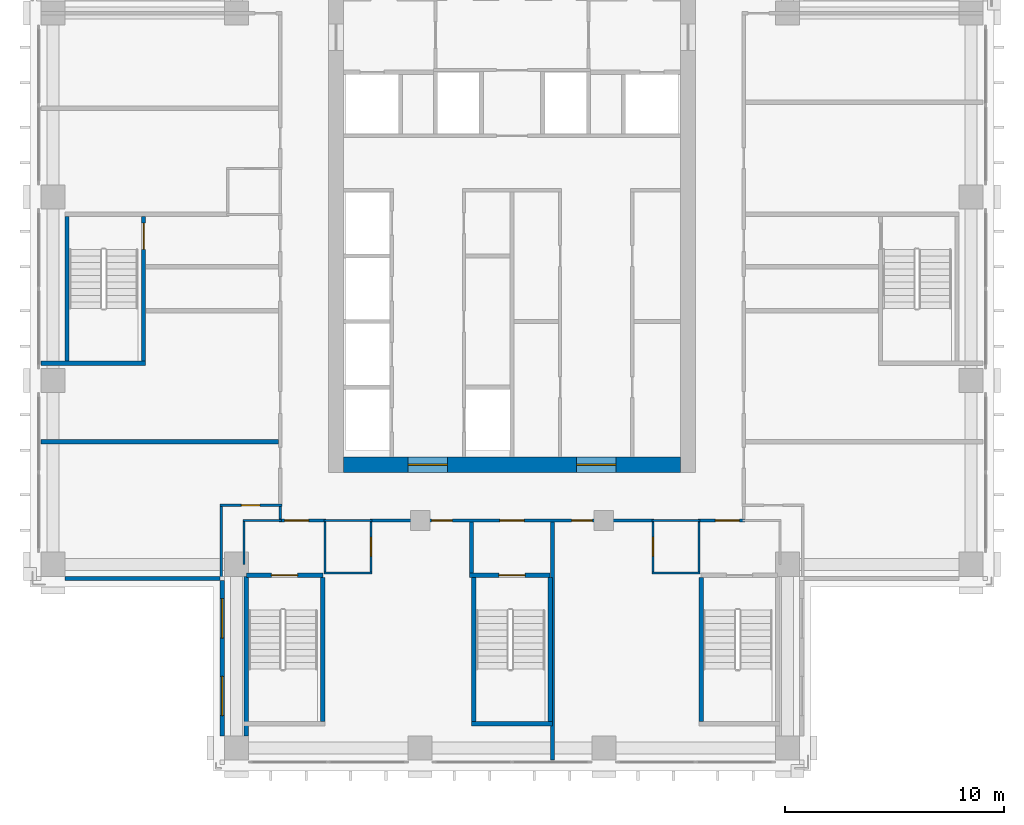
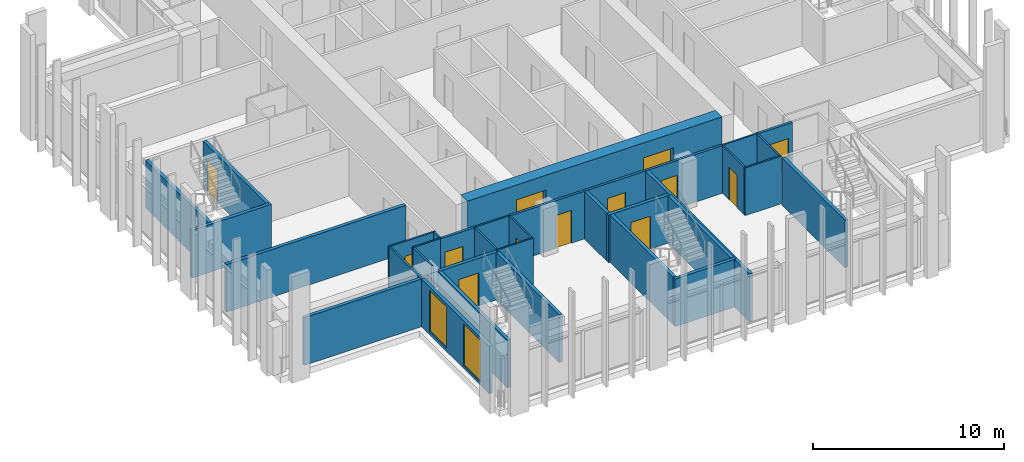
# One storey, part 9 of 16: 33 walls, 13 doors, 2 windows, 15 openings.
"""IFC4 building model written with IfcOpenShell, lengths in metres."""

from ifc_helpers import new_model, si_unit, direction, frame, frame_2d, origin, place, context, subcontext, project, spatial, rectangle, extrude, material, layer, layer_set, type_object, element, fill, save


model = new_model("IFC4")

# Units and contexts
model_context = context("Model", 3, precision=1e-05, world=origin(), true_north=direction((0.0, 1.0)))
body_context = subcontext(model_context, "Body", "Model", "MODEL_VIEW")
ifc_project = project(units=[si_unit("LENGTHUNIT", "METRE"), si_unit("AREAUNIT", "SQUARE_METRE"), si_unit("VOLUMEUNIT", "CUBIC_METRE"), si_unit("PLANEANGLEUNIT", "RADIAN"), si_unit("MASSUNIT", "GRAM", prefix="KILO")], contexts=[model_context])

# Site, building, storey
site_placement = place(None, origin())
site = spatial("IfcSite", under=ifc_project, at=site_placement, CompositionType="ELEMENT")
building_placement = place(site_placement, origin())
building = spatial("IfcBuilding", under=site, at=building_placement, Name="Vermilion Ogive Tower", CompositionType="ELEMENT")
storey_placement = place(building_placement, frame((0.0, 0.0, 164.14990234375)))
storey = spatial("IfcBuildingStorey", under=building, at=storey_placement, Name="L42", CompositionType="ELEMENT", Elevation=164.14990234375)

# Wall, openings, doors
ifc_material_1 = material(Name="Concrete B60", Category="concrete")
ifc_layer_1 = layer(ifc_material_1, 0.699951171875)
ifc_layer_set_1 = layer_set([ifc_layer_1], Name="Core wall 700 B60")
wall_type_1 = type_object("IfcWallType", Name="Core wall 700 B60", PredefinedType="SHEAR", material=ifc_layer_set_1)
wall_1_placement = place(storey_placement, frame((-7.699951171875, -8.050048828125, -0.39990234375), z_axis=(0.0, 0.0, 1.0), x_axis=(1.0, 0.0, 0.0)))
wall_1 = element("IfcWall", 1, at=wall_1_placement, inside=storey, type_object=wall_type_1, Name="L42-CORE-S", PredefinedType="SHEAR", context=body_context, shape_type="SweptSolid", body=[
    extrude(rectangle(XDim=15.39990234375, YDim=0.699951171875, at=frame_2d((7.699951171875, 0.0))), origin(), (0.0, 0.0, 1.0), 3.449951171875),
])
opening_1_placement = place(wall_1_placement, frame((2.949951171875, 0.0, 0.39990234375)))
opening_1 = element("IfcOpeningElement", 2, at=opening_1_placement, cuts=wall_1, Name="Opening DAH033", PredefinedType="OPENING", context=body_context, shape_type="SweptSolid", body=[
    extrude(rectangle(XDim=1.800048828125, YDim=2.10009765625, at=frame_2d((0.89990234375, 1.050048828125))), frame((0.0, 0.35986328125, 0.0), z_axis=(0.0, -1.0, 0.0), x_axis=(1.0, 0.0, 0.0)), (0.0, 0.0, 1.0), 0.719970703125),
])
opening_2_placement = place(wall_1_placement, frame((10.64990234375, 0.0, 0.39990234375)))
opening_2 = element("IfcOpeningElement", 3, at=opening_2_placement, cuts=wall_1, Name="Opening DAH034", PredefinedType="OPENING", context=body_context, shape_type="SweptSolid", body=[
    extrude(rectangle(XDim=1.800048828125, YDim=2.10009765625, at=frame_2d((0.89990234375, 1.050048828125))), frame((0.0, 0.35986328125, 0.0), z_axis=(0.0, -1.0, 0.0), x_axis=(1.0, 0.0, 0.0)), (0.0, 0.0, 1.0), 0.719970703125),
])
ifc_material_2 = material(Name="Timber door leaf", Category="wood")
door_type_1 = type_object("IfcDoorType", Name="Core entry door 1800 x 2100 FD60S", OperationType="DOUBLE_DOOR_SINGLE_SWING", PredefinedType="DOOR", material=ifc_material_2)
door_1_placement = place(opening_1_placement, origin())
door_1 = element("IfcDoor", 4, at=door_1_placement, inside=storey, type_object=door_type_1, Name="L42-CK-XD1", OperationType="SINGLE_SWING_LEFT", OverallHeight=2.10009765625, OverallWidth=1.800048828125, PredefinedType="DOOR", context=body_context, shape_type="SweptSolid", body=[
    extrude(rectangle(XDim=1.800048828125, YDim=2.10009765625, at=frame_2d((0.89990234375, 1.050048828125))), frame((0.0, 0.02490234375, 0.0), z_axis=(0.0, -1.0, 0.0), x_axis=(1.0, 0.0, 0.0)), (0.0, 0.0, 1.0), 0.050048828125),
])
fill(opening_1, door_1)
door_2_placement = place(opening_2_placement, origin())
door_2 = element("IfcDoor", 5, at=door_2_placement, inside=storey, type_object=door_type_1, Name="L42-CK-XD2", OperationType="SINGLE_SWING_LEFT", OverallHeight=2.10009765625, OverallWidth=1.800048828125, PredefinedType="DOOR", context=body_context, shape_type="SweptSolid", body=[
    extrude(rectangle(XDim=1.800048828125, YDim=2.10009765625, at=frame_2d((0.89990234375, 1.050048828125))), frame((0.0, 0.02490234375, 0.0), z_axis=(0.0, -1.0, 0.0), x_axis=(1.0, 0.0, 0.0)), (0.0, 0.0, 1.0), 0.050048828125),
])
fill(opening_2, door_2)

# Walls
ifc_material_3 = material(Name="Gypsum board partition on steel studs", Category="steel")
ifc_layer_2 = layer(ifc_material_3, 0.10009765625)
ifc_layer_set_2 = layer_set([ifc_layer_2], Name="Partition 100 bath")
wall_type_2 = type_object("IfcWallType", Name="Partition 100 bath", PredefinedType="PARTITIONING", material=ifc_layer_set_2)
for number, where, z_axis, x_axis, name in (
    (6, (-8.60009765625, -13.0, 0.0), (0.0, 0.0, 1.0), (1.0, 0.0, 0.0), "L42-W-W005"),
    (7, (6.39990234375, -13.0, 0.0), (0.0, 0.0, 1.0), (1.0, 0.0, 0.0), "L42-W-W006"),
):
    element("IfcWall", number, at=place(storey_placement, frame(where, z_axis=z_axis, x_axis=x_axis)), inside=storey, type_object=wall_type_2, Name=name, PredefinedType="PARTITIONING", context=body_context, shape_type="SweptSolid", body=[
        extrude(rectangle(XDim=2.2001953125, YDim=0.10009765625, at=frame_2d((1.10009765625, 0.0))), origin(), (0.0, 0.0, 1.0), 3.050048828125),
    ])
wall_2_placement = place(storey_placement, frame((-12.300048828125, -10.60009765625, 0.0), z_axis=(0.0, 0.0, 1.0), x_axis=(1.0, 0.0, 0.0)))
element("IfcWall", 8, at=wall_2_placement, inside=storey, type_object=wall_type_2, Name="L42-W-W007", PredefinedType="PARTITIONING", context=body_context, shape_type="SweptSolid", body=[
    extrude(rectangle(XDim=1.75, YDim=0.10009765625, at=frame_2d((0.875, 0.0))), origin(), (0.0, 0.0, 1.0), 3.050048828125),
])
for number, where, z_axis, x_axis, name in (
    (9, (-8.60009765625, -10.60009765625, 0.0), (0.0, 0.0, 1.0), (1.0, 0.0, 0.0), "L42-W-W009"),
    (10, (6.39990234375, -10.60009765625, 0.0), (0.0, 0.0, 1.0), (1.0, 0.0, 0.0), "L42-W-W011"),
):
    element("IfcWall", number, at=place(storey_placement, frame(where, z_axis=z_axis, x_axis=x_axis)), inside=storey, type_object=wall_type_2, Name=name, PredefinedType="PARTITIONING", context=body_context, shape_type="SweptSolid", body=[
        extrude(rectangle(XDim=2.2001953125, YDim=0.10009765625, at=frame_2d((1.10009765625, 0.0))), origin(), (0.0, 0.0, 1.0), 3.050048828125),
    ])

# Wall, opening, door
wall_3_placement = place(storey_placement, frame((-13.35009765625, -9.89990234375, 0.0), z_axis=(0.0, 0.0, 1.0), x_axis=(1.0, 0.0, 0.0)))
wall_3 = element("IfcWall", 11, at=wall_3_placement, inside=storey, type_object=wall_type_2, Name="L42-W-W014", PredefinedType="PARTITIONING", context=body_context, shape_type="SweptSolid", body=[
    extrude(rectangle(XDim=2.8251953125, YDim=0.10009765625, at=frame_2d((1.41259765625, 0.0))), origin(), (0.0, 0.0, 1.0), 3.050048828125),
])
opening_3_placement = place(wall_3_placement, frame((0.97509765625, 0.0, 0.0)))
opening_3 = element("IfcOpeningElement", 12, at=opening_3_placement, cuts=wall_3, Name="Opening D3G5002", PredefinedType="OPENING", context=body_context, shape_type="SweptSolid", body=[
    extrude(rectangle(XDim=0.85009765625, YDim=2.10009765625, at=frame_2d((0.425048828125, 1.050048828125))), frame((0.0, 0.06005859375, 0.0), z_axis=(0.0, -1.0, 0.0), x_axis=(1.0, 0.0, 0.0)), (0.0, 0.0, 1.0), 0.1201171875),
])
ifc_material_4 = material(Name="Timber door leaf", Category="wood")
door_type_2 = type_object("IfcDoorType", Name="Bath door 850 x 2100 FD30", OperationType="SINGLE_SWING_LEFT", PredefinedType="DOOR", material=ifc_material_4)
door_3_placement = place(opening_3_placement, origin())
door_3 = element("IfcDoor", 13, at=door_3_placement, inside=storey, type_object=door_type_2, Name="L42-D-D002", OperationType="SINGLE_SWING_RIGHT", OverallHeight=2.10009765625, OverallWidth=0.85009765625, PredefinedType="DOOR", context=body_context, shape_type="SweptSolid", body=[
    extrude(rectangle(XDim=0.85009765625, YDim=2.10009765625, at=frame_2d((0.425048828125, 1.050048828125))), frame((0.0, 0.02490234375, 0.0), z_axis=(0.0, -1.0, 0.0), x_axis=(1.0, 0.0, 0.0)), (0.0, 0.0, 1.0), 0.050048828125),
])
fill(opening_3, door_3)

# Walls
wall_4_placement = place(storey_placement, frame((-13.300048828125, -13.35009765625, 0.0), z_axis=(0.0, 0.0, 1.0), x_axis=(0.0, 1.0, 0.0)))
element("IfcWall", 14, at=wall_4_placement, inside=storey, type_object=wall_type_2, Name="L42-W-W040", PredefinedType="PARTITIONING", context=body_context, shape_type="SweptSolid", body=[
    extrude(rectangle(XDim=3.400146484375, YDim=0.10009765625, at=frame_2d((1.7001953125, 0.0))), origin(), (0.0, 0.0, 1.0), 3.050048828125),
])
wall_5_placement = place(storey_placement, frame((-12.25, -12.60009765625, 0.0), z_axis=(0.0, 0.0, 1.0), x_axis=(0.0, 1.0, 0.0)))
element("IfcWall", 15, at=wall_5_placement, inside=storey, type_object=wall_type_2, Name="L42-W-W043", PredefinedType="PARTITIONING", context=body_context, shape_type="SweptSolid", body=[
    extrude(rectangle(XDim=1.9501953125, YDim=0.10009765625, at=frame_2d((0.97509765625, 0.0))), origin(), (0.0, 0.0, 1.0), 3.050048828125),
])
wall_6_placement = place(storey_placement, frame((-10.60009765625, -10.52490234375, 0.0), z_axis=(0.0, 0.0, 1.0), x_axis=(0.0, 1.0, 0.0)))
element("IfcWall", 16, at=wall_6_placement, inside=storey, type_object=wall_type_2, Name="L42-W-W044", PredefinedType="PARTITIONING", context=body_context, shape_type="SweptSolid", body=[
    extrude(rectangle(XDim=0.574951171875, YDim=0.10009765625, at=frame_2d((0.28759765625, 0.0))), origin(), (0.0, 0.0, 1.0), 3.050048828125),
])
wall_7_placement = place(storey_placement, frame((-8.550048828125, -12.949951171875, 0.0), z_axis=(0.0, 0.0, 1.0), x_axis=(0.0, 1.0, 0.0)))
element("IfcWall", 17, at=wall_7_placement, inside=storey, type_object=wall_type_2, Name="L42-W-W050", PredefinedType="PARTITIONING", context=body_context, shape_type="SweptSolid", body=[
    extrude(rectangle(XDim=2.27490234375, YDim=0.10009765625, at=frame_2d((1.137451171875, 0.0))), origin(), (0.0, 0.0, 1.0), 3.050048828125),
])

# Wall, opening, door
wall_8_placement = place(storey_placement, frame((-6.449951171875, -12.949951171875, 0.0), z_axis=(0.0, 0.0, 1.0), x_axis=(0.0, 1.0, 0.0)))
wall_8 = element("IfcWall", 18, at=wall_8_placement, inside=storey, type_object=wall_type_2, Name="L42-W-W051", PredefinedType="PARTITIONING", context=body_context, shape_type="SweptSolid", body=[
    extrude(rectangle(XDim=2.27490234375, YDim=0.10009765625, at=frame_2d((1.137451171875, 0.0))), origin(), (0.0, 0.0, 1.0), 3.050048828125),
])
opening_4_placement = place(wall_8_placement, frame((0.724853515625, 0.0, 0.0)))
opening_4 = element("IfcOpeningElement", 19, at=opening_4_placement, cuts=wall_8, Name="Opening D3G5009", PredefinedType="OPENING", context=body_context, shape_type="SweptSolid", body=[
    extrude(rectangle(XDim=0.85009765625, YDim=2.10009765625, at=frame_2d((0.425048828125, 1.050048828125))), frame((0.0, 0.06005859375, 0.0), z_axis=(0.0, -1.0, 0.0), x_axis=(1.0, 0.0, 0.0)), (0.0, 0.0, 1.0), 0.1201171875),
])
door_4_placement = place(opening_4_placement, origin())
door_4 = element("IfcDoor", 20, at=door_4_placement, inside=storey, type_object=door_type_2, Name="L42-D-D009", OperationType="SINGLE_SWING_LEFT", OverallHeight=2.10009765625, OverallWidth=0.85009765625, PredefinedType="DOOR", context=body_context, shape_type="SweptSolid", body=[
    extrude(rectangle(XDim=0.85009765625, YDim=2.10009765625, at=frame_2d((0.425048828125, 1.050048828125))), frame((0.0, 0.02490234375, 0.0), z_axis=(0.0, -1.0, 0.0), x_axis=(1.0, 0.0, 0.0)), (0.0, 0.0, 1.0), 0.050048828125),
])
fill(opening_4, door_4)

wall_9_placement = place(storey_placement, frame((6.449951171875, -12.949951171875, 0.0), z_axis=(0.0, 0.0, 1.0), x_axis=(0.0, 1.0, 0.0)))
wall_9 = element("IfcWall", 21, at=wall_9_placement, inside=storey, type_object=wall_type_2, Name="L42-W-W056", PredefinedType="PARTITIONING", context=body_context, shape_type="SweptSolid", body=[
    extrude(rectangle(XDim=2.27490234375, YDim=0.10009765625, at=frame_2d((1.137451171875, 0.0))), origin(), (0.0, 0.0, 1.0), 3.050048828125),
])
opening_5_placement = place(wall_9_placement, frame((0.724853515625, 0.0, 0.0)))
opening_5 = element("IfcOpeningElement", 22, at=opening_5_placement, cuts=wall_9, Name="Opening D3G5011", PredefinedType="OPENING", context=body_context, shape_type="SweptSolid", body=[
    extrude(rectangle(XDim=0.85009765625, YDim=2.10009765625, at=frame_2d((0.425048828125, 1.050048828125))), frame((0.0, 0.06005859375, 0.0), z_axis=(0.0, -1.0, 0.0), x_axis=(1.0, 0.0, 0.0)), (0.0, 0.0, 1.0), 0.1201171875),
])
door_5_placement = place(opening_5_placement, origin())
door_5 = element("IfcDoor", 23, at=door_5_placement, inside=storey, type_object=door_type_2, Name="L42-D-D011", OperationType="SINGLE_SWING_RIGHT", OverallHeight=2.10009765625, OverallWidth=0.85009765625, PredefinedType="DOOR", context=body_context, shape_type="SweptSolid", body=[
    extrude(rectangle(XDim=0.85009765625, YDim=2.10009765625, at=frame_2d((0.425048828125, 1.050048828125))), frame((0.0, 0.02490234375, 0.0), z_axis=(0.0, -1.0, 0.0), x_axis=(1.0, 0.0, 0.0)), (0.0, 0.0, 1.0), 0.050048828125),
])
fill(opening_5, door_5)

# Wall
wall_10_placement = place(storey_placement, frame((8.550048828125, -12.949951171875, 0.0), z_axis=(0.0, 0.0, 1.0), x_axis=(0.0, 1.0, 0.0)))
element("IfcWall", 24, at=wall_10_placement, inside=storey, type_object=wall_type_2, Name="L42-W-W057", PredefinedType="PARTITIONING", context=body_context, shape_type="SweptSolid", body=[
    extrude(rectangle(XDim=2.27490234375, YDim=0.10009765625, at=frame_2d((1.137451171875, 0.0))), origin(), (0.0, 0.0, 1.0), 3.050048828125),
])

# Wall, opening, door
ifc_material_5 = material(Name="Gypsum board partition on steel studs", Category="steel")
ifc_layer_3 = layer(ifc_material_5, 0.14990234375)
ifc_layer_set_3 = layer_set([ifc_layer_3], Name="Partition 150 corridor")
wall_type_3 = type_object("IfcWallType", Name="Partition 150 corridor", PredefinedType="PARTITIONING", material=ifc_layer_set_3)
wall_11_placement = place(storey_placement, frame((-10.64990234375, -10.60009765625, 0.0), z_axis=(0.0, 0.0, 1.0), x_axis=(1.0, 0.0, 0.0)))
wall_11 = element("IfcWall", 25, at=wall_11_placement, inside=storey, type_object=wall_type_3, Name="L42-W-W008", PredefinedType="PARTITIONING", context=body_context, shape_type="SweptSolid", body=[
    extrude(rectangle(XDim=2.14990234375, YDim=0.14990234375, at=frame_2d((1.074951171875, 0.0))), origin(), (0.0, 0.0, 1.0), 3.050048828125),
])
opening_6_placement = place(wall_11_placement, frame((0.25, 0.0, 0.0)))
opening_6 = element("IfcOpeningElement", 26, at=opening_6_placement, cuts=wall_11, Name="Opening D3G5018", PredefinedType="OPENING", context=body_context, shape_type="SweptSolid", body=[
    extrude(rectangle(XDim=1.10009765625, YDim=2.10009765625, at=frame_2d((0.550048828125, 1.050048828125))), frame((0.0, 0.0849609375, 0.0), z_axis=(0.0, -1.0, 0.0), x_axis=(1.0, 0.0, 0.0)), (0.0, 0.0, 1.0), 0.169921875),
])
ifc_material_6 = material(Name="Timber door leaf", Category="wood")
door_type_3 = type_object("IfcDoorType", Name="Stair door 1100 x 2100 FD60S", OperationType="SINGLE_SWING_LEFT", PredefinedType="DOOR", material=ifc_material_6)
door_6_placement = place(opening_6_placement, origin())
door_6 = element("IfcDoor", 27, at=door_6_placement, inside=storey, type_object=door_type_3, Name="L42-D-D018", OperationType="SINGLE_SWING_RIGHT", OverallHeight=2.10009765625, OverallWidth=1.10009765625, PredefinedType="DOOR", context=body_context, shape_type="SweptSolid", body=[
    extrude(rectangle(XDim=1.10009765625, YDim=2.10009765625, at=frame_2d((0.550048828125, 1.050048828125))), frame((0.0, 0.02490234375, 0.0), z_axis=(0.0, -1.0, 0.0), x_axis=(1.0, 0.0, 0.0)), (0.0, 0.0, 1.0), 0.050048828125),
])
fill(opening_6, door_6)

# Wall, openings, doors
wall_12_placement = place(storey_placement, frame((-6.5, -10.60009765625, 0.0), z_axis=(0.0, 0.0, 1.0), x_axis=(1.0, 0.0, 0.0)))
wall_12 = element("IfcWall", 28, at=wall_12_placement, inside=storey, type_object=wall_type_3, Name="L42-W-W010", PredefinedType="PARTITIONING", context=body_context, shape_type="SweptSolid", body=[
    extrude(rectangle(XDim=13.0, YDim=0.14990234375, at=frame_2d((6.5, 0.0))), origin(), (0.0, 0.0, 1.0), 3.050048828125),
])
opening_7_placement = place(wall_12_placement, frame((2.824951171875, 0.0, 0.0)))
opening_7 = element("IfcOpeningElement", 29, at=opening_7_placement, cuts=wall_12, Name="Opening D3G5008", PredefinedType="OPENING", context=body_context, shape_type="SweptSolid", body=[
    extrude(rectangle(XDim=0.949951171875, YDim=2.10009765625, at=frame_2d((0.47509765625, 1.050048828125))), frame((0.0, 0.0849609375, 0.0), z_axis=(0.0, -1.0, 0.0), x_axis=(1.0, 0.0, 0.0)), (0.0, 0.0, 1.0), 0.169921875),
])
opening_8_placement = place(wall_12_placement, frame((9.22509765625, 0.0, 0.0)))
opening_8 = element("IfcOpeningElement", 30, at=opening_8_placement, cuts=wall_12, Name="Opening D3G5010", PredefinedType="OPENING", context=body_context, shape_type="SweptSolid", body=[
    extrude(rectangle(XDim=0.949951171875, YDim=2.10009765625, at=frame_2d((0.47509765625, 1.050048828125))), frame((0.0, 0.0849609375, 0.0), z_axis=(0.0, -1.0, 0.0), x_axis=(1.0, 0.0, 0.0)), (0.0, 0.0, 1.0), 0.169921875),
])
opening_9_placement = place(wall_12_placement, frame((5.949951171875, 0.0, 0.0)))
opening_9 = element("IfcOpeningElement", 31, at=opening_9_placement, cuts=wall_12, Name="Opening D3G5020", PredefinedType="OPENING", context=body_context, shape_type="SweptSolid", body=[
    extrude(rectangle(XDim=1.10009765625, YDim=2.10009765625, at=frame_2d((0.550048828125, 1.050048828125))), frame((0.0, 0.0849609375, 0.0), z_axis=(0.0, -1.0, 0.0), x_axis=(1.0, 0.0, 0.0)), (0.0, 0.0, 1.0), 0.169921875),
])
door_7_placement = place(opening_9_placement, origin())
door_7 = element("IfcDoor", 32, at=door_7_placement, inside=storey, type_object=door_type_3, Name="L42-D-D020", OperationType="SINGLE_SWING_LEFT", OverallHeight=2.10009765625, OverallWidth=1.10009765625, PredefinedType="DOOR", context=body_context, shape_type="SweptSolid", body=[
    extrude(rectangle(XDim=1.10009765625, YDim=2.10009765625, at=frame_2d((0.550048828125, 1.050048828125))), frame((0.0, 0.02490234375, 0.0), z_axis=(0.0, -1.0, 0.0), x_axis=(1.0, 0.0, 0.0)), (0.0, 0.0, 1.0), 0.050048828125),
])
fill(opening_9, door_7)
ifc_material_7 = material(Name="Timber door leaf", Category="wood")
door_type_4 = type_object("IfcDoorType", Name="Unit door 950 x 2100 FD30S", OperationType="SINGLE_SWING_LEFT", PredefinedType="DOOR", material=ifc_material_7)
door_8_placement = place(opening_7_placement, origin())
door_8 = element("IfcDoor", 33, at=door_8_placement, inside=storey, type_object=door_type_4, Name="L42-D-D008", OperationType="SINGLE_SWING_LEFT", OverallHeight=2.10009765625, OverallWidth=0.949951171875, PredefinedType="DOOR", context=body_context, shape_type="SweptSolid", body=[
    extrude(rectangle(XDim=0.949951171875, YDim=2.10009765625, at=frame_2d((0.47509765625, 1.050048828125))), frame((0.0, 0.02490234375, 0.0), z_axis=(0.0, -1.0, 0.0), x_axis=(1.0, 0.0, 0.0)), (0.0, 0.0, 1.0), 0.050048828125),
])
fill(opening_7, door_8)
door_9_placement = place(opening_8_placement, origin())
door_9 = element("IfcDoor", 34, at=door_9_placement, inside=storey, type_object=door_type_4, Name="L42-D-D010", OperationType="SINGLE_SWING_LEFT", OverallHeight=2.10009765625, OverallWidth=0.949951171875, PredefinedType="DOOR", context=body_context, shape_type="SweptSolid", body=[
    extrude(rectangle(XDim=0.949951171875, YDim=2.10009765625, at=frame_2d((0.47509765625, 1.050048828125))), frame((0.0, 0.02490234375, 0.0), z_axis=(0.0, -1.0, 0.0), x_axis=(1.0, 0.0, 0.0)), (0.0, 0.0, 1.0), 0.050048828125),
])
fill(opening_8, door_9)

# Wall, opening, door
wall_13_placement = place(storey_placement, frame((8.5, -10.60009765625, 0.0), z_axis=(0.0, 0.0, 1.0), x_axis=(1.0, 0.0, 0.0)))
wall_13 = element("IfcWall", 35, at=wall_13_placement, inside=storey, type_object=wall_type_3, Name="L42-W-W012", PredefinedType="PARTITIONING", context=body_context, shape_type="SweptSolid", body=[
    extrude(rectangle(XDim=2.14990234375, YDim=0.14990234375, at=frame_2d((1.074951171875, 0.0))), origin(), (0.0, 0.0, 1.0), 3.050048828125),
])
opening_10_placement = place(wall_13_placement, frame((0.800048828125, 0.0, 0.0)))
opening_10 = element("IfcOpeningElement", 36, at=opening_10_placement, cuts=wall_13, Name="Opening D3G5022", PredefinedType="OPENING", context=body_context, shape_type="SweptSolid", body=[
    extrude(rectangle(XDim=1.10009765625, YDim=2.10009765625, at=frame_2d((0.550048828125, 1.050048828125))), frame((0.0, 0.0849609375, 0.0), z_axis=(0.0, -1.0, 0.0), x_axis=(1.0, 0.0, 0.0)), (0.0, 0.0, 1.0), 0.169921875),
])
door_10_placement = place(opening_10_placement, origin())
door_10 = element("IfcDoor", 37, at=door_10_placement, inside=storey, type_object=door_type_3, Name="L42-D-D022", OperationType="SINGLE_SWING_RIGHT", OverallHeight=2.10009765625, OverallWidth=1.10009765625, PredefinedType="DOOR", context=body_context, shape_type="SweptSolid", body=[
    extrude(rectangle(XDim=1.10009765625, YDim=2.10009765625, at=frame_2d((0.550048828125, 1.050048828125))), frame((0.0, 0.02490234375, 0.0), z_axis=(0.0, -1.0, 0.0), x_axis=(1.0, 0.0, 0.0)), (0.0, 0.0, 1.0), 0.050048828125),
])
fill(opening_10, door_10)

# Walls
ifc_material_8 = material(Name="Gypsum board partition on steel studs", Category="steel")
ifc_layer_4 = layer(ifc_material_8, 0.199951171875)
ifc_layer_set_4 = layer_set([ifc_layer_4], Name="Partition 200 party")
wall_type_4 = type_object("IfcWallType", Name="Partition 200 party", PredefinedType="PARTITIONING", material=ifc_layer_set_4)
wall_14_placement = place(storey_placement, frame((-21.550048828125, -7.0, 0.0), z_axis=(0.0, 0.0, 1.0), x_axis=(1.0, 0.0, 0.0)))
element("IfcWall", 38, at=wall_14_placement, inside=storey, type_object=wall_type_4, Name="L42-W-W016", PredefinedType="PARTITIONING", context=body_context, shape_type="SweptSolid", body=[
    extrude(rectangle(XDim=10.875, YDim=0.199951171875, at=frame_2d((5.4375, 0.0))), origin(), (0.0, 0.0, 1.0), 3.050048828125),
])
wall_15_placement = place(storey_placement, frame((-1.85009765625, -12.998046875, 0.0), z_axis=(0.0, 0.0, 1.0), x_axis=(0.0, 1.0, 0.0)))
element("IfcWall", 39, at=wall_15_placement, inside=storey, type_object=wall_type_4, Name="L42-W-W052", PredefinedType="PARTITIONING", context=body_context, shape_type="SweptSolid", body=[
    extrude(rectangle(XDim=2.322998046875, YDim=0.199951171875, at=frame_2d((1.16162109375, 0.0))), origin(), (0.0, 0.0, 1.0), 3.050048828125),
])
ifc_material_9 = material(Name="Concrete B60", Category="concrete")
ifc_layer_5 = layer(ifc_material_9, 0.199951171875)
ifc_layer_set_5 = layer_set([ifc_layer_5], Name="Stair shaft wall 200 Concrete B60")
wall_type_5 = type_object("IfcWallType", Name="Stair shaft wall 200 Concrete B60", PredefinedType="SOLIDWALL", material=ifc_layer_set_5)
wall_16_placement = place(storey_placement, frame((-1.847900390625, -19.89990234375, 0.0), z_axis=(0.0, 0.0, 1.0), x_axis=(1.0, 0.0, 0.0)))
element("IfcWall", 40, at=wall_16_placement, inside=storey, type_object=wall_type_5, Name="L42-W-W001", PredefinedType="SOLIDWALL", context=body_context, shape_type="SweptSolid", body=[
    extrude(rectangle(XDim=3.69580078125, YDim=0.199951171875, at=frame_2d((1.847900390625, 0.0))), origin(), (0.0, 0.0, 1.0), 3.050048828125),
])

# Wall, opening, door
wall_17_placement = place(storey_placement, frame((-12.14990234375, -13.10009765625, 0.0), z_axis=(0.0, 0.0, 1.0), x_axis=(1.0, 0.0, 0.0)))
wall_17 = element("IfcWall", 41, at=wall_17_placement, inside=storey, type_object=wall_type_5, Name="L42-W-W002", PredefinedType="SOLIDWALL", context=body_context, shape_type="SweptSolid", body=[
    extrude(rectangle(XDim=3.5, YDim=0.199951171875, at=frame_2d((1.75, 0.0))), origin(), (0.0, 0.0, 1.0), 3.050048828125),
])
opening_11_placement = place(wall_17_placement, frame((1.14990234375, 0.0, 0.0)))
opening_11 = element("IfcOpeningElement", 42, at=opening_11_placement, cuts=wall_17, Name="Opening D3G5019", PredefinedType="OPENING", context=body_context, shape_type="SweptSolid", body=[
    extrude(rectangle(XDim=1.199951171875, YDim=2.10009765625, at=frame_2d((0.60009765625, 1.050048828125))), frame((0.0, 0.10986328125, 0.0), z_axis=(0.0, -1.0, 0.0), x_axis=(1.0, 0.0, 0.0)), (0.0, 0.0, 1.0), 0.219970703125),
])
ifc_material_10 = material(Name="Timber door leaf", Category="wood")
door_type_5 = type_object("IfcDoorType", Name="Stair door 1200 x 2100 FD60S", OperationType="SINGLE_SWING_LEFT", PredefinedType="DOOR", material=ifc_material_10)
door_11_placement = place(opening_11_placement, origin())
door_11 = element("IfcDoor", 43, at=door_11_placement, inside=storey, type_object=door_type_5, Name="L42-D-D019", OperationType="SINGLE_SWING_RIGHT", OverallHeight=2.10009765625, OverallWidth=1.199951171875, PredefinedType="DOOR", context=body_context, shape_type="SweptSolid", body=[
    extrude(rectangle(XDim=1.199951171875, YDim=2.10009765625, at=frame_2d((0.60009765625, 1.050048828125))), frame((0.0, 0.02490234375, 0.0), z_axis=(0.0, -1.0, 0.0), x_axis=(1.0, 0.0, 0.0)), (0.0, 0.0, 1.0), 0.050048828125),
])
fill(opening_11, door_11)

wall_18_placement = place(storey_placement, frame((-1.947998046875, -13.10009765625, 0.0), z_axis=(0.0, 0.0, 1.0), x_axis=(1.0, 0.0, 0.0)))
wall_18 = element("IfcWall", 44, at=wall_18_placement, inside=storey, type_object=wall_type_5, Name="L42-W-W003", PredefinedType="SOLIDWALL", context=body_context, shape_type="SweptSolid", body=[
    extrude(rectangle(XDim=3.696044921875, YDim=0.199951171875, at=frame_2d((1.84814453125, 0.0))), origin(), (0.0, 0.0, 1.0), 3.050048828125),
])
opening_12_placement = place(wall_18_placement, frame((1.347900390625, 0.0, 0.0)))
opening_12 = element("IfcOpeningElement", 45, at=opening_12_placement, cuts=wall_18, Name="Opening D3G5021", PredefinedType="OPENING", context=body_context, shape_type="SweptSolid", body=[
    extrude(rectangle(XDim=1.199951171875, YDim=2.10009765625, at=frame_2d((0.60009765625, 1.050048828125))), frame((0.0, 0.10986328125, 0.0), z_axis=(0.0, -1.0, 0.0), x_axis=(1.0, 0.0, 0.0)), (0.0, 0.0, 1.0), 0.219970703125),
])
door_12_placement = place(opening_12_placement, origin())
door_12 = element("IfcDoor", 46, at=door_12_placement, inside=storey, type_object=door_type_5, Name="L42-D-D021", OperationType="SINGLE_SWING_RIGHT", OverallHeight=2.10009765625, OverallWidth=1.199951171875, PredefinedType="DOOR", context=body_context, shape_type="SweptSolid", body=[
    extrude(rectangle(XDim=1.199951171875, YDim=2.10009765625, at=frame_2d((0.60009765625, 1.050048828125))), frame((0.0, 0.02490234375, 0.0), z_axis=(0.0, -1.0, 0.0), x_axis=(1.0, 0.0, 0.0)), (0.0, 0.0, 1.0), 0.050048828125),
])
fill(opening_12, door_12)

# Walls
wall_19_placement = place(storey_placement, frame((-21.550048828125, -3.39990234375, 0.0), z_axis=(0.0, 0.0, 1.0), x_axis=(1.0, 0.0, 0.0)))
element("IfcWall", 47, at=wall_19_placement, inside=storey, type_object=wall_type_5, Name="L42-W-W018", PredefinedType="SOLIDWALL", context=body_context, shape_type="SweptSolid", body=[
    extrude(rectangle(XDim=4.798095703125, YDim=0.199951171875, at=frame_2d((2.39892578125, 0.0))), origin(), (0.0, 0.0, 1.0), 3.050048828125),
])
wall_20_placement = place(storey_placement, frame((-20.35009765625, -3.298095703125, 0.0), z_axis=(0.0, 0.0, 1.0), x_axis=(0.0, 1.0, 0.0)))
element("IfcWall", 48, at=wall_20_placement, inside=storey, type_object=wall_type_5, Name="L42-W-W038", PredefinedType="SOLIDWALL", context=body_context, shape_type="SweptSolid", body=[
    extrude(rectangle(XDim=6.59619140625, YDim=0.199951171875, at=frame_2d((3.298095703125, 0.0))), origin(), (0.0, 0.0, 1.0), 3.050048828125),
])

# Wall, opening, door
wall_21_placement = place(storey_placement, frame((-16.85009765625, -3.298095703125, 0.0), z_axis=(0.0, 0.0, 1.0), x_axis=(0.0, 1.0, 0.0)))
wall_21 = element("IfcWall", 49, at=wall_21_placement, inside=storey, type_object=wall_type_5, Name="L42-W-W039", PredefinedType="SOLIDWALL", context=body_context, shape_type="SweptSolid", body=[
    extrude(rectangle(XDim=6.59814453125, YDim=0.199951171875, at=frame_2d((3.299072265625, 0.0))), origin(), (0.0, 0.0, 1.0), 3.050048828125),
])
opening_13_placement = place(wall_21_placement, frame((5.10009765625, 0.0, 0.0)))
opening_13 = element("IfcOpeningElement", 50, at=opening_13_placement, cuts=wall_21, Name="Opening D3G5027", PredefinedType="OPENING", context=body_context, shape_type="SweptSolid", body=[
    extrude(rectangle(XDim=1.199951171875, YDim=2.10009765625, at=frame_2d((0.60009765625, 1.050048828125))), frame((0.0, 0.10986328125, 0.0), z_axis=(0.0, -1.0, 0.0), x_axis=(1.0, 0.0, 0.0)), (0.0, 0.0, 1.0), 0.219970703125),
])
door_13_placement = place(opening_13_placement, origin())
door_13 = element("IfcDoor", 51, at=door_13_placement, inside=storey, type_object=door_type_5, Name="L42-D-D027", OperationType="SINGLE_SWING_RIGHT", OverallHeight=2.10009765625, OverallWidth=1.199951171875, PredefinedType="DOOR", context=body_context, shape_type="SweptSolid", body=[
    extrude(rectangle(XDim=1.199951171875, YDim=2.10009765625, at=frame_2d((0.60009765625, 1.050048828125))), frame((0.0, 0.02490234375, 0.0), z_axis=(0.0, -1.0, 0.0), x_axis=(1.0, 0.0, 0.0)), (0.0, 0.0, 1.0), 0.050048828125),
])
fill(opening_13, door_13)

# Walls
for number, where, z_axis, x_axis, name in (
    (52, (-1.75, -19.798095703125, 0.0), (0.0, 0.0, 1.0), (0.0, 1.0, 0.0), "L42-W-W053"),
    (53, (1.75, -19.798095703125, 0.0), (0.0, 0.0, 1.0), (0.0, 1.0, 0.0), "L42-W-W054"),
):
    element("IfcWall", number, at=place(storey_placement, frame(where, z_axis=z_axis, x_axis=x_axis)), inside=storey, type_object=wall_type_5, Name=name, PredefinedType="SOLIDWALL", context=body_context, shape_type="SweptSolid", body=[
        extrude(rectangle(XDim=6.59619140625, YDim=0.199951171875, at=frame_2d((3.298095703125, 0.0))), origin(), (0.0, 0.0, 1.0), 3.050048828125),
    ])
wall_22_placement = place(storey_placement, frame((-12.14990234375, -20.449951171875, 0.0), z_axis=(0.0, 0.0, 1.0), x_axis=(0.0, 1.0, 0.0)))
element("IfcWall", 54, at=wall_22_placement, inside=storey, type_object=wall_type_5, Name="L42-SW-ST3-W1", PredefinedType="SOLIDWALL", context=body_context, shape_type="SweptSolid", body=[
    extrude(rectangle(XDim=7.300048828125, YDim=0.199951171875, at=frame_2d((3.64990234375, 0.0))), origin(), (0.0, 0.0, 1.0), 3.050048828125),
])
for number, where, z_axis, x_axis, name in (
    (55, (-8.64990234375, -19.800048828125, 0.0), (0.0, 0.0, 1.0), (0.0, 1.0, 0.0), "L42-SW-ST3-E1"),
    (56, (8.64990234375, -19.800048828125, 0.0), (0.0, 0.0, 1.0), (0.0, 1.0, 0.0), "L42-SW-ST5-W1"),
):
    element("IfcWall", number, at=place(storey_placement, frame(where, z_axis=z_axis, x_axis=x_axis)), inside=storey, type_object=wall_type_5, Name=name, PredefinedType="SOLIDWALL", context=body_context, shape_type="SweptSolid", body=[
        extrude(rectangle(XDim=6.60009765625, YDim=0.199951171875, at=frame_2d((3.300048828125, 0.0))), origin(), (0.0, 0.0, 1.0), 3.050048828125),
    ])
wall_23_placement = place(storey_placement, frame((1.85009765625, -21.550048828125, 0.0), z_axis=(0.0, 0.0, 1.0), x_axis=(0.0, 1.0, 0.0)))
element("IfcWall", 57, at=wall_23_placement, inside=storey, type_object=wall_type_5, Name="L42-W-W055-A", PredefinedType="SOLIDWALL", context=body_context, shape_type="SweptSolid", body=[
    extrude(rectangle(XDim=10.875, YDim=0.199951171875, at=frame_2d((5.4375, 0.0))), origin(), (0.0, 0.0, 1.0), 3.050048828125),
])
ifc_material_11 = material(Name="Aluminium window wall framing", Category="aluminium")
ifc_layer_6 = layer(ifc_material_11, 0.199951171875)
ifc_layer_set_6 = layer_set([ifc_layer_6], Name="Window wall")
wall_type_6 = type_object("IfcWallType", Name="Window wall", PredefinedType="STANDARD", material=ifc_layer_set_6)
wall_24_placement = place(storey_placement, frame((-20.449951171875, -13.25, 0.0), z_axis=(0.0, 0.0, 1.0), x_axis=(1.0, 0.0, 0.0)))
element("IfcWall", 58, at=wall_24_placement, inside=storey, type_object=wall_type_6, Name="Window wall X71", PredefinedType="STANDARD", context=body_context, shape_type="SweptSolid", body=[
    extrude(rectangle(XDim=7.099853515625, YDim=0.199951171875, at=frame_2d((3.5498046875, 0.0))), origin(), (0.0, 0.0, 1.0), 3.050048828125),
])

# Wall, openings, windows
wall_25_placement = place(storey_placement, frame((-13.25, -13.35009765625, 0.0), z_axis=(0.0, 0.0, 1.0), x_axis=(0.0, -1.0, 0.0)))
wall_25 = element("IfcWall", 59, at=wall_25_placement, inside=storey, type_object=wall_type_6, Name="Window wall X81", PredefinedType="STANDARD", context=body_context, shape_type="SweptSolid", body=[
    extrude(rectangle(XDim=7.099853515625, YDim=0.199951171875, at=frame_2d((3.5498046875, 0.0))), origin(), (0.0, 0.0, 1.0), 3.050048828125),
])
opening_14_placement = place(wall_25_placement, frame((4.375, 0.0, 0.199951171875)))
opening_14 = element("IfcOpeningElement", 60, at=opening_14_placement, cuts=wall_25, Name="Opening W1-X895", PredefinedType="OPENING", context=body_context, shape_type="SweptSolid", body=[
    extrude(rectangle(XDim=1.800048828125, YDim=2.64990234375, at=frame_2d((0.89990234375, 1.324951171875))), frame((0.0, 0.10986328125, 0.0), z_axis=(0.0, -1.0, 0.0), x_axis=(1.0, 0.0, 0.0)), (0.0, 0.0, 1.0), 0.219970703125),
])
opening_15_placement = place(wall_25_placement, frame((0.824951171875, 0.0, 0.199951171875)))
opening_15 = element("IfcOpeningElement", 61, at=opening_15_placement, cuts=wall_25, Name="Opening W1-X896", PredefinedType="OPENING", context=body_context, shape_type="SweptSolid", body=[
    extrude(rectangle(XDim=1.800048828125, YDim=2.64990234375, at=frame_2d((0.89990234375, 1.324951171875))), frame((0.0, 0.10986328125, 0.0), z_axis=(0.0, -1.0, 0.0), x_axis=(1.0, 0.0, 0.0)), (0.0, 0.0, 1.0), 0.219970703125),
])
ifc_material_12 = material(Name="Aluminium framed double glazing", Category="aluminium")
window_type = type_object("IfcWindowType", Name="Guest window W1", PartitioningType="SINGLE_PANEL", PredefinedType="WINDOW", material=ifc_material_12)
window_1_placement = place(opening_14_placement, origin())
window_1 = element("IfcWindow", 62, at=window_1_placement, inside=storey, type_object=window_type, Name="Window X895", OverallHeight=2.64990234375, OverallWidth=1.800048828125, PartitioningType="SINGLE_PANEL", PredefinedType="WINDOW", context=body_context, shape_type="SweptSolid", body=[
    extrude(rectangle(XDim=1.800048828125, YDim=2.64990234375, at=frame_2d((0.89990234375, 1.324951171875))), frame((0.0, 0.030029296875, 0.0), z_axis=(0.0, -1.0, 0.0), x_axis=(1.0, 0.0, 0.0)), (0.0, 0.0, 1.0), 0.06005859375),
])
fill(opening_14, window_1)
window_2_placement = place(opening_15_placement, origin())
window_2 = element("IfcWindow", 63, at=window_2_placement, inside=storey, type_object=window_type, Name="Window X896", OverallHeight=2.64990234375, OverallWidth=1.800048828125, PartitioningType="SINGLE_PANEL", PredefinedType="WINDOW", context=body_context, shape_type="SweptSolid", body=[
    extrude(rectangle(XDim=1.800048828125, YDim=2.64990234375, at=frame_2d((0.89990234375, 1.324951171875))), frame((0.0, 0.030029296875, 0.0), z_axis=(0.0, -1.0, 0.0), x_axis=(1.0, 0.0, 0.0)), (0.0, 0.0, 1.0), 0.06005859375),
])
fill(opening_15, window_2)

save(model, "model.ifc")
